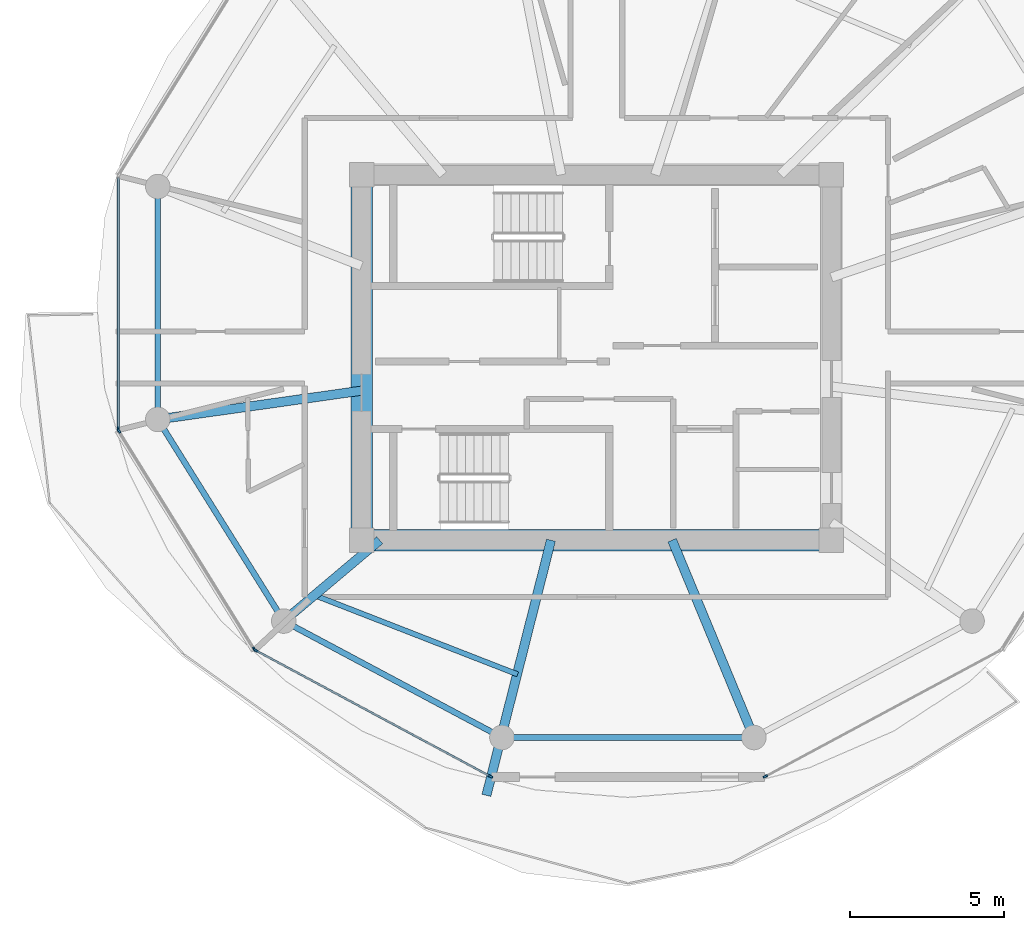
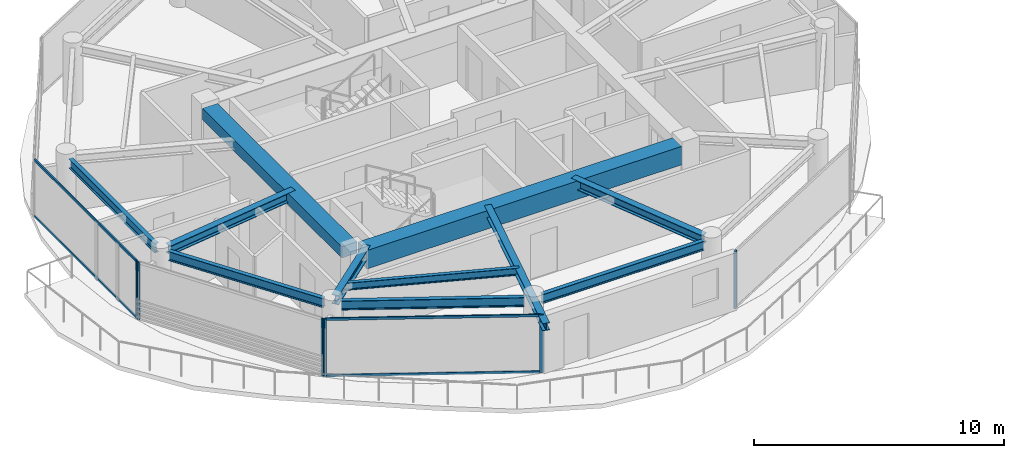
# One storey, part 2 of 22: 11 beams, 10 members, 4 elements without a shape of their own.
"""IFC4 building model written with IfcOpenShell, lengths in metres."""

from ifc_helpers import new_model, si_unit, direction, frame, origin, origin_2d, place, context, subcontext, project, spatial, rectangle, i_section, extrude, source, transform, mapped, material, layer, layer_set, material_profile, profile_set, type_object, type_shapes, element, aggregate, save


model = new_model("IFC4")

# Units and contexts
model_context = context("Model", 3, precision=1e-05, world=origin(), true_north=direction((0.0, 1.0)))
body_context = subcontext(model_context, "Body", "Model", "MODEL_VIEW")
ifc_project = project(units=[si_unit("LENGTHUNIT", "METRE"), si_unit("AREAUNIT", "SQUARE_METRE"), si_unit("VOLUMEUNIT", "CUBIC_METRE"), si_unit("PLANEANGLEUNIT", "RADIAN"), si_unit("MASSUNIT", "GRAM", prefix="KILO")], contexts=[model_context])

# Site, building, storey
site_placement = place(None, origin())
site = spatial("IfcSite", under=ifc_project, at=site_placement, CompositionType="ELEMENT")
building_placement = place(site_placement, origin())
building = spatial("IfcBuilding", under=site, at=building_placement, Name="Norrkilde Senior Care Towers", CompositionType="ELEMENT")
storey_placement = place(building_placement, frame((0.0, 0.0, 167.85009765625)))
storey = spatial("IfcBuildingStorey", under=building, at=storey_placement, Name="L52", CompositionType="ELEMENT", Elevation=167.85009765625)

# Beams
ifc_material_1 = material(Name="Concrete C60/75", Category="concrete")
ifc_material_profile_1 = material_profile(ifc_material_1, rectangle(XDim=0.699951171875, YDim=0.89990234375, at=origin_2d()), Name="RC BM 700x900")
ifc_profile_set_1 = profile_set([ifc_material_profile_1], Name="Concrete C60/75")
beam_type_1 = type_object("IfcBeamType", Name="Core Coupling Girder 700x900", PredefinedType="USERDEFINED", material=ifc_profile_set_1)
shared_shape_1 = source(origin(), body_context, "Body", "SweptSolid", [
    extrude(rectangle(XDim=0.699951171875, YDim=0.89990234375, at=origin_2d()), origin(), (0.0, 0.0, 1.0), 14.5400390625),
])
type_shapes(beam_type_1, [shared_shape_1])
beam_1_placement = place(storey_placement, frame((-35.27001953125, -5.949951171875, 2.35986328125), z_axis=(1.0, 0.0, 0.0), x_axis=(0.0, 1.0, 0.0)))
element("IfcBeam", 1, at=beam_1_placement, inside=storey, type_object=beam_type_1, Name="L52 Core W S Coupling Girder", ObjectType="GIRDER", PredefinedType="USERDEFINED", context=body_context, shape_type="MappedRepresentation", body=[
    mapped(shared_shape_1, transform((0.0, 0.0, 0.0), x_axis=(1.0, 0.0, 0.0), y_axis=(0.0, 1.0, 0.0), z_axis=(0.0, 0.0, 1.0), scale=1.0)),
])
ifc_material_profile_2 = material_profile(ifc_material_1, rectangle(XDim=0.699951171875, YDim=0.550048828125, at=origin_2d()), Name="RC BM 700x550")
ifc_profile_set_2 = profile_set([ifc_material_profile_2], Name="Concrete C60/75")
beam_type_2 = type_object("IfcBeamType", Name="Core Portal Coupling Beam 700x550", PredefinedType="USERDEFINED", material=ifc_profile_set_2)
shared_shape_2 = source(origin(), body_context, "Body", "SweptSolid", [
    extrude(rectangle(XDim=0.699951171875, YDim=0.550048828125, at=origin_2d()), origin(), (0.0, 0.0, 1.0), 11.14013671875),
])
type_shapes(beam_type_2, [shared_shape_2])
beam_2_placement = place(storey_placement, frame((-35.64990234375, -5.570068359375, 2.534912109375), z_axis=(0.0, 1.0, 0.0), x_axis=(-1.0, 0.0, 0.0)))
element("IfcBeam", 2, at=beam_2_placement, inside=storey, type_object=beam_type_2, Name="L52 Core W W Coupling Girder", ObjectType="GIRDER", PredefinedType="USERDEFINED", context=body_context, shape_type="MappedRepresentation", body=[
    mapped(shared_shape_2, transform((0.0, 0.0, 0.0), x_axis=(1.0, 0.0, 0.0), y_axis=(0.0, 1.0, 0.0), z_axis=(0.0, 0.0, 1.0), scale=1.0)),
])
ifc_material_2 = material(Name="Steel S355", Category="steel")
ifc_material_profile_3 = material_profile(ifc_material_2, i_section(OverallWidth=0.18994140625, OverallDepth=0.449951171875, WebThickness=0.009521484375, FlangeThickness=0.0146484375, FilletRadius=0.02099609375, at=origin_2d()), Name="IPE 450")
ifc_profile_set_3 = profile_set([ifc_material_profile_3], Name="Steel S355")
beam_type_3 = type_object("IfcBeamType", Name="Perimeter Ring Spandrel Z3 IPE450", PredefinedType="SPANDREL", material=ifc_profile_set_3)
shared_shape_3 = source(origin(), body_context, "Body", "SweptSolid", [
    extrude(i_section(OverallWidth=0.18994140625, OverallDepth=0.449951171875, WebThickness=0.009521484375, FlangeThickness=0.0146484375, FilletRadius=0.02099609375, at=origin_2d()), origin(), (0.0, 0.0, 1.0), 7.484619140625),
])
beam_3_placement = place(storey_placement, frame((-30.71728515625, -12.37548828125, 2.5849609375), z_axis=(1.0, 0.0, 0.0), x_axis=(0.0, 1.0, 0.0)))
element("IfcBeam", 3, at=beam_3_placement, inside=storey, type_object=beam_type_3, Name="L52 Drum W Perimeter Spandrel 09", PredefinedType="SPANDREL", context=body_context, shape_type="MappedRepresentation", body=[
    mapped(shared_shape_3, transform((0.0, 0.0, 0.0), x_axis=(1.0, 0.0, 0.0), y_axis=(0.0, 1.0, 0.0), z_axis=(0.0, 0.0, 1.0), scale=1.0)),
])
shared_shape_4 = source(origin(), body_context, "Body", "SweptSolid", [
    extrude(i_section(OverallWidth=0.18994140625, OverallDepth=0.449951171875, WebThickness=0.009521484375, FlangeThickness=0.0146484375, FilletRadius=0.02099609375, at=origin_2d()), origin(), (0.0, 0.0, 1.0), 6.86328125),
])
beam_4_placement = place(storey_placement, frame((-42.284912109375, 5.20703125, 2.5849609375), z_axis=(0.0, -1.0, 0.0), x_axis=(1.0, 0.0, 0.0)))
element("IfcBeam", 4, at=beam_4_placement, inside=storey, type_object=beam_type_3, Name="L52 Drum W Perimeter Spandrel 06", PredefinedType="SPANDREL", context=body_context, shape_type="MappedRepresentation", body=[
    mapped(shared_shape_4, transform((0.0, 0.0, 0.0), x_axis=(1.0, 0.0, 0.0), y_axis=(0.0, 1.0, 0.0), z_axis=(0.0, 0.0, 1.0), scale=1.0)),
])
shared_shape_5 = source(origin(), body_context, "Body", "SweptSolid", [
    extrude(i_section(OverallWidth=0.18994140625, OverallDepth=0.449951171875, WebThickness=0.009521484375, FlangeThickness=0.0146484375, FilletRadius=0.02099609375, at=origin_2d()), origin(), (0.0, 0.0, 1.0), 7.023193359375),
])
beam_5_placement = place(storey_placement, frame((-42.09423828125, -2.32177734375, 2.5849609375), z_axis=(0.529805197269, -0.848119362441, 0.0), x_axis=(0.848119362441, 0.529805197269, 0.0)))
element("IfcBeam", 5, at=beam_5_placement, inside=storey, type_object=beam_type_3, Name="L52 Drum W Perimeter Spandrel 07", PredefinedType="SPANDREL", context=body_context, shape_type="MappedRepresentation", body=[
    mapped(shared_shape_5, transform((0.0, 0.0, 0.0), x_axis=(1.0, 0.0, 0.0), y_axis=(0.0, 1.0, 0.0), z_axis=(0.0, 0.0, 1.0), scale=1.0)),
])
ifc_material_profile_4 = material_profile(ifc_material_2, i_section(OverallWidth=0.300048828125, OverallDepth=0.449951171875, WebThickness=0.013916015625, FlangeThickness=0.02587890625, FilletRadius=0.027099609375, at=origin_2d()), Name="HEB 450")
ifc_profile_set_4 = profile_set([ifc_material_profile_4], Name="Steel S355")
beam_type_4 = type_object("IfcBeamType", Name="Radial Floor Beam Z3 HEB450", PredefinedType="BEAM", material=ifc_profile_set_4)
shared_shape_6 = source(origin(), body_context, "Body", "SweptSolid", [
    extrude(i_section(OverallWidth=0.300048828125, OverallDepth=0.449951171875, WebThickness=0.013916015625, FlangeThickness=0.02587890625, FilletRadius=0.027099609375, at=origin_2d()), origin(), (0.0, 0.0, 1.0), 6.3408203125),
])
beam_6_placement = place(storey_placement, frame((-35.64990234375, -1.079833984375, 2.5849609375), z_axis=(-0.990184519576, -0.139766294905, 0.0), x_axis=(0.139766294905, -0.990184519576, 0.0)))
element("IfcBeam", 6, at=beam_6_placement, inside=storey, type_object=beam_type_4, Name="L52 Drum W Radial Floor Beam 07", PredefinedType="BEAM", context=body_context, shape_type="MappedRepresentation", body=[
    mapped(shared_shape_6, transform((0.0, 0.0, 0.0), x_axis=(1.0, 0.0, 0.0), y_axis=(0.0, 1.0, 0.0), z_axis=(0.0, 0.0, 1.0), scale=1.0)),
])
shared_shape_7 = source(origin(), body_context, "Body", "SweptSolid", [
    extrude(i_section(OverallWidth=0.18994140625, OverallDepth=0.449951171875, WebThickness=0.009521484375, FlangeThickness=0.0146484375, FilletRadius=0.02099609375, at=origin_2d()), origin(), (0.0, 0.0, 1.0), 7.333984375),
])
type_shapes(beam_type_3, [shared_shape_3, shared_shape_4, shared_shape_5, shared_shape_7])
beam_7_placement = place(storey_placement, frame((-37.864990234375, -8.753173828125, 2.5849609375), z_axis=(0.882234038987, -0.470811109101, 0.0), x_axis=(0.470811109101, 0.882234038987, 0.0)))
element("IfcBeam", 7, at=beam_7_placement, inside=storey, type_object=beam_type_3, Name="L52 Drum W Perimeter Spandrel 08", PredefinedType="SPANDREL", context=body_context, shape_type="MappedRepresentation", body=[
    mapped(shared_shape_7, transform((0.0, 0.0, 0.0), x_axis=(1.0, 0.0, 0.0), y_axis=(0.0, 1.0, 0.0), z_axis=(0.0, 0.0, 1.0), scale=1.0)),
])
shared_shape_8 = source(origin(), body_context, "Body", "SweptSolid", [
    extrude(i_section(OverallWidth=0.300048828125, OverallDepth=0.449951171875, WebThickness=0.013916015625, FlangeThickness=0.02587890625, FilletRadius=0.027099609375, at=origin_2d()), origin(), (0.0, 0.0, 1.0), 3.7265625),
])
beam_8_placement = place(storey_placement, frame((-35.058349609375, -5.949951171875, 2.5849609375), z_axis=(-0.764567902106, -0.644543189453, 0.0), x_axis=(0.644543189453, -0.764567902106, 0.0)))
element("IfcBeam", 8, at=beam_8_placement, inside=storey, type_object=beam_type_4, Name="L52 Drum W Radial Floor Beam 08", PredefinedType="BEAM", context=body_context, shape_type="MappedRepresentation", body=[
    mapped(shared_shape_8, transform((0.0, 0.0, 0.0), x_axis=(1.0, 0.0, 0.0), y_axis=(0.0, 1.0, 0.0), z_axis=(0.0, 0.0, 1.0), scale=1.0)),
])
shared_shape_9 = source(origin(), body_context, "Body", "SweptSolid", [
    extrude(i_section(OverallWidth=0.300048828125, OverallDepth=0.449951171875, WebThickness=0.013916015625, FlangeThickness=0.02587890625, FilletRadius=0.027099609375, at=origin_2d()), origin(), (0.0, 0.0, 1.0), 6.59521484375),
])
type_shapes(beam_type_4, [shared_shape_6, shared_shape_8, shared_shape_9])
beam_9_placement = place(storey_placement, frame((-25.534912109375, -5.949951171875, 2.5849609375), z_axis=(0.382761541363, -0.923847174836, 0.0), x_axis=(0.923847174836, 0.382761541363, 0.0)))
element("IfcBeam", 9, at=beam_9_placement, inside=storey, type_object=beam_type_4, Name="L52 Drum W Radial Floor Beam 10", PredefinedType="BEAM", context=body_context, shape_type="MappedRepresentation", body=[
    mapped(shared_shape_9, transform((0.0, 0.0, 0.0), x_axis=(1.0, 0.0, 0.0), y_axis=(0.0, 1.0, 0.0), z_axis=(0.0, 0.0, 1.0), scale=1.0)),
])
ifc_material_profile_5 = material_profile(ifc_material_2, i_section(OverallWidth=0.169921875, OverallDepth=0.360107421875, WebThickness=0.008056640625, FlangeThickness=0.0126953125, FilletRadius=0.01806640625, at=origin_2d()), Name="IPE 360")
ifc_profile_set_5 = profile_set([ifc_material_profile_5], Name="Steel S355")
beam_type_5 = type_object("IfcBeamType", Name="Secondary Floor Joist IPE360", PredefinedType="JOIST", material=ifc_profile_set_5)
shared_shape_10 = source(origin(), body_context, "Body", "SweptSolid", [
    extrude(i_section(OverallWidth=0.169921875, OverallDepth=0.360107421875, WebThickness=0.008056640625, FlangeThickness=0.0126953125, FilletRadius=0.01806640625, at=origin_2d()), origin(), (0.0, 0.0, 1.0), 7.1015625),
])
type_shapes(beam_type_5, [shared_shape_10])
beam_10_placement = place(storey_placement, frame((-37.182861328125, -7.740966796875, 2.6298828125), z_axis=(0.931761231292, -0.363071629106, 0.0), x_axis=(0.363071629106, 0.931761231292, 0.0)))
element("IfcBeam", 10, at=beam_10_placement, inside=storey, type_object=beam_type_5, Name="L52 Drum W Secondary Floor Joist 3", PredefinedType="JOIST", context=body_context, shape_type="MappedRepresentation", body=[
    mapped(shared_shape_10, transform((0.0, 0.0, 0.0), x_axis=(1.0, 0.0, 0.0), y_axis=(0.0, 1.0, 0.0), z_axis=(0.0, 0.0, 1.0), scale=1.0)),
])
ifc_material_profile_6 = material_profile(ifc_material_2, i_section(OverallWidth=0.300048828125, OverallDepth=0.360107421875, WebThickness=0.012451171875, FlangeThickness=0.0224609375, FilletRadius=0.027099609375, at=origin_2d()), Name="HEB 360")
ifc_profile_set_6 = profile_set([ifc_material_profile_6], Name="Steel S355")
beam_type_6 = type_object("IfcBeamType", Name="Balcony Crest Cantilever Rib HEB360", PredefinedType="BEAM", material=ifc_profile_set_6)
shared_shape_11 = source(origin(), body_context, "Body", "SweptSolid", [
    extrude(i_section(OverallWidth=0.300048828125, OverallDepth=0.360107421875, WebThickness=0.012451171875, FlangeThickness=0.0224609375, FilletRadius=0.027099609375, at=origin_2d()), origin(), (0.0, 0.0, 1.0), 8.571044921875),
])
type_shapes(beam_type_6, [shared_shape_11])
beam_11_placement = place(storey_placement, frame((-29.4794921875, -5.949951171875, 2.6298828125), z_axis=(-0.245309368093, -0.969444848316, 0.0), x_axis=(0.969444848316, -0.245309368093, 0.0)))
element("IfcBeam", 11, at=beam_11_placement, inside=storey, type_object=beam_type_6, Name="L52 Drum W Balcony Cantilever Rib", PredefinedType="BEAM", context=body_context, shape_type="MappedRepresentation", body=[
    mapped(shared_shape_11, transform((0.0, 0.0, 0.0), x_axis=(1.0, 0.0, 0.0), y_axis=(0.0, 1.0, 0.0), z_axis=(0.0, 0.0, 1.0), scale=1.0)),
])

# Curtain wall, members
ifc_material_3 = material(Name="Triple Low-E Insulated Glazing", Category="glass")
ifc_layer = layer(ifc_material_3, 0.18994140625)
ifc_layer_set = layer_set([ifc_layer], Name="Triple Low-E Insulated Glazing")
curtain_wall_type = type_object("IfcCurtainWallType", Name="CW4 Zone 3 Senior Residence Curtain Wall", PredefinedType="NOTDEFINED", material=ifc_layer_set)
curtain_wall_1_placement = place(storey_placement, origin())
curtain_wall_1 = element("IfcCurtainWall", 12, at=curtain_wall_1_placement, inside=storey, type_object=curtain_wall_type, Name="L52 Drum W Curtain Wall 07", PredefinedType="NOTDEFINED")
ifc_material_4 = material(Name="Anodised Aluminium", Category="aluminium")
ifc_material_profile_7 = material_profile(ifc_material_4, rectangle(XDim=0.06005859375, YDim=0.1201171875, at=origin_2d()), Name="ALU TRAN 60x120")
ifc_profile_set_7 = profile_set([ifc_material_profile_7], Name="Anodised Aluminium")
member_type_1 = type_object("IfcMemberType", Name="Curtain Wall Transom Typical 60x120", PredefinedType="USERDEFINED", material=ifc_profile_set_7)
shared_shape_12 = source(origin(), body_context, "Body", "SweptSolid", [
    extrude(rectangle(XDim=0.06005859375, YDim=0.1201171875, at=origin_2d()), origin(), (0.0, 0.0, 1.0), 8.612060546875),
])
member_1_placement = place(storey_placement, frame((-31.478759765625, -13.62939453125, 0.02978515625), z_axis=(-0.881000337462, 0.473115636384, 0.0), x_axis=(-0.473115636384, -0.881000337462, 0.0)))
member_1 = element("IfcMember", 13, at=member_1_placement, type_object=member_type_1, Name="CW-4 transom 1.1", ObjectType="TRANSOM", PredefinedType="USERDEFINED", context=body_context, shape_type="MappedRepresentation", body=[
    mapped(shared_shape_12, transform((0.0, 0.0, 0.0), x_axis=(1.0, 0.0, 0.0), y_axis=(0.0, 1.0, 0.0), z_axis=(0.0, 0.0, 1.0), scale=1.0)),
])
member_2_placement = place(storey_placement, frame((-31.478759765625, -13.62939453125, 2.77978515625), z_axis=(-0.881000337462, 0.473115636384, 0.0), x_axis=(-0.473115636384, -0.881000337462, 0.0)))
member_2 = element("IfcMember", 14, at=member_2_placement, type_object=member_type_1, Name="CW-4 transom 1.2", ObjectType="TRANSOM", PredefinedType="USERDEFINED", context=body_context, shape_type="MappedRepresentation", body=[
    mapped(shared_shape_12, transform((0.0, 0.0, 0.0), x_axis=(1.0, 0.0, 0.0), y_axis=(0.0, 1.0, 0.0), z_axis=(0.0, 0.0, 1.0), scale=1.0)),
])

curtain_wall_2_placement = place(storey_placement, origin())
curtain_wall_2 = element("IfcCurtainWall", 15, at=curtain_wall_2_placement, inside=storey, type_object=curtain_wall_type, Name="L52 Drum W Curtain Wall 05", PredefinedType="NOTDEFINED")
shared_shape_13 = source(origin(), body_context, "Body", "SweptSolid", [
    extrude(rectangle(XDim=0.06005859375, YDim=0.1201171875, at=origin_2d()), origin(), (0.0, 0.0, 1.0), 8.141845703125),
])
type_shapes(member_type_1, [shared_shape_12, shared_shape_13])
member_3_placement = place(storey_placement, frame((-43.569580078125, -2.295654296875, 0.02978515625), z_axis=(0.0, 1.0, 0.0), x_axis=(-1.0, 0.0, 0.0)))
member_3 = element("IfcMember", 16, at=member_3_placement, type_object=member_type_1, Name="CW-4 transom 1.1", ObjectType="TRANSOM", PredefinedType="USERDEFINED", context=body_context, shape_type="MappedRepresentation", body=[
    mapped(shared_shape_13, transform((0.0, 0.0, 0.0), x_axis=(1.0, 0.0, 0.0), y_axis=(0.0, 1.0, 0.0), z_axis=(0.0, 0.0, 1.0), scale=1.0)),
])
member_4_placement = place(storey_placement, frame((-43.569580078125, -2.295654296875, 2.77978515625), z_axis=(0.0, 1.0, 0.0), x_axis=(-1.0, 0.0, 0.0)))
member_4 = element("IfcMember", 17, at=member_4_placement, type_object=member_type_1, Name="CW-4 transom 1.2", ObjectType="TRANSOM", PredefinedType="USERDEFINED", context=body_context, shape_type="MappedRepresentation", body=[
    mapped(shared_shape_13, transform((0.0, 0.0, 0.0), x_axis=(1.0, 0.0, 0.0), y_axis=(0.0, 1.0, 0.0), z_axis=(0.0, 0.0, 1.0), scale=1.0)),
])
ifc_material_profile_8 = material_profile(ifc_material_4, rectangle(XDim=0.06494140625, YDim=0.14990234375, at=origin_2d()), Name="ALU MULL 65x150")
ifc_profile_set_8 = profile_set([ifc_material_profile_8], Name="Anodised Aluminium")
member_type_2 = type_object("IfcMemberType", Name="Curtain Wall Mullion Z3-Z4 65x150", PredefinedType="MULLION", material=ifc_profile_set_8)
shared_shape_14 = source(origin(), body_context, "Body", "SweptSolid", [
    extrude(rectangle(XDim=0.06494140625, YDim=0.14990234375, at=origin_2d()), origin(), (0.0, 0.0, 1.0), 2.809814453125),
])
type_shapes(member_type_2, [shared_shape_14])
member_5_placement = place(storey_placement, frame((-43.569580078125, -2.328125, 0.0), z_axis=(0.0, 0.0, 1.0), x_axis=(-1.0, 0.0, 0.0)))
member_5 = element("IfcMember", 18, at=member_5_placement, type_object=member_type_2, Name="CW-4 mullion 1", PredefinedType="MULLION", context=body_context, shape_type="MappedRepresentation", body=[
    mapped(shared_shape_14, transform((0.0, 0.0, 0.0), x_axis=(1.0, 0.0, 0.0), y_axis=(0.0, 1.0, 0.0), z_axis=(0.0, 0.0, 1.0), scale=1.0)),
])
aggregate(curtain_wall_2, [member_5, member_3, member_4])

curtain_wall_3_placement = place(storey_placement, origin())
curtain_wall_3 = element("IfcCurtainWall", 19, at=curtain_wall_3_placement, inside=storey, type_object=curtain_wall_type, Name="L52 Drum W Curtain Wall 06", PredefinedType="NOTDEFINED")
member_6_placement = place(storey_placement, frame((-39.14013671875, -9.49658203125, 0.0), z_axis=(0.0, 0.0, 1.0), x_axis=(-0.84963405474, -0.52737270789, 0.0)))
member_6 = element("IfcMember", 20, at=member_6_placement, type_object=member_type_2, Name="CW-4 mullion 1", PredefinedType="MULLION", context=body_context, shape_type="MappedRepresentation", body=[
    mapped(shared_shape_14, transform((0.0, 0.0, 0.0), x_axis=(1.0, 0.0, 0.0), y_axis=(0.0, 1.0, 0.0), z_axis=(0.0, 0.0, 1.0), scale=1.0)),
])
member_7_placement = place(storey_placement, frame((-43.552490234375, -2.38818359375, 0.0), z_axis=(0.0, 0.0, 1.0), x_axis=(-0.84963405474, -0.52737270789, 0.0)))
member_7 = element("IfcMember", 21, at=member_7_placement, type_object=member_type_2, Name="CW-4 mullion 2", PredefinedType="MULLION", context=body_context, shape_type="MappedRepresentation", body=[
    mapped(shared_shape_14, transform((0.0, 0.0, 0.0), x_axis=(1.0, 0.0, 0.0), y_axis=(0.0, 1.0, 0.0), z_axis=(0.0, 0.0, 1.0), scale=1.0)),
])
aggregate(curtain_wall_3, [member_6, member_7])

# Member
member_8_placement = place(storey_placement, frame((-31.4501953125, -13.644775390625, 0.0), z_axis=(0.0, 0.0, 1.0), x_axis=(-0.47311715104, -0.880999524059, 0.0)))
member_8 = element("IfcMember", 22, at=member_8_placement, type_object=member_type_2, Name="CW-4 mullion 1", PredefinedType="MULLION", context=body_context, shape_type="MappedRepresentation", body=[
    mapped(shared_shape_14, transform((0.0, 0.0, 0.0), x_axis=(1.0, 0.0, 0.0), y_axis=(0.0, 1.0, 0.0), z_axis=(0.0, 0.0, 1.0), scale=1.0)),
])

member_9_placement = place(storey_placement, frame((-39.094482421875, -9.53955078125, 0.0), z_axis=(0.0, 0.0, 1.0), x_axis=(-0.47311715104, -0.880999524059, 0.0)))
member_9 = element("IfcMember", 23, at=member_9_placement, type_object=member_type_2, Name="CW-4 mullion 2", PredefinedType="MULLION", context=body_context, shape_type="MappedRepresentation", body=[
    mapped(shared_shape_14, transform((0.0, 0.0, 0.0), x_axis=(1.0, 0.0, 0.0), y_axis=(0.0, 1.0, 0.0), z_axis=(0.0, 0.0, 1.0), scale=1.0)),
])

aggregate(curtain_wall_1, [member_8, member_9, member_1, member_2])

# Curtain wall, member
curtain_wall_4_placement = place(storey_placement, origin())
curtain_wall_4 = element("IfcCurtainWall", 24, at=curtain_wall_4_placement, inside=storey, type_object=curtain_wall_type, Name="L52 Drum W Curtain Wall 09", PredefinedType="NOTDEFINED")
member_10_placement = place(storey_placement, frame((-22.499755859375, -13.644775390625, 0.0), z_axis=(0.0, 0.0, 1.0), x_axis=(0.47311715104, -0.880999524059, 0.0)))
member_10 = element("IfcMember", 25, at=member_10_placement, type_object=member_type_2, Name="CW-4 mullion 2", PredefinedType="MULLION", context=body_context, shape_type="MappedRepresentation", body=[
    mapped(shared_shape_14, transform((0.0, 0.0, 0.0), x_axis=(1.0, 0.0, 0.0), y_axis=(0.0, 1.0, 0.0), z_axis=(0.0, 0.0, 1.0), scale=1.0)),
])
aggregate(curtain_wall_4, [member_10])

save(model, "model.ifc")
